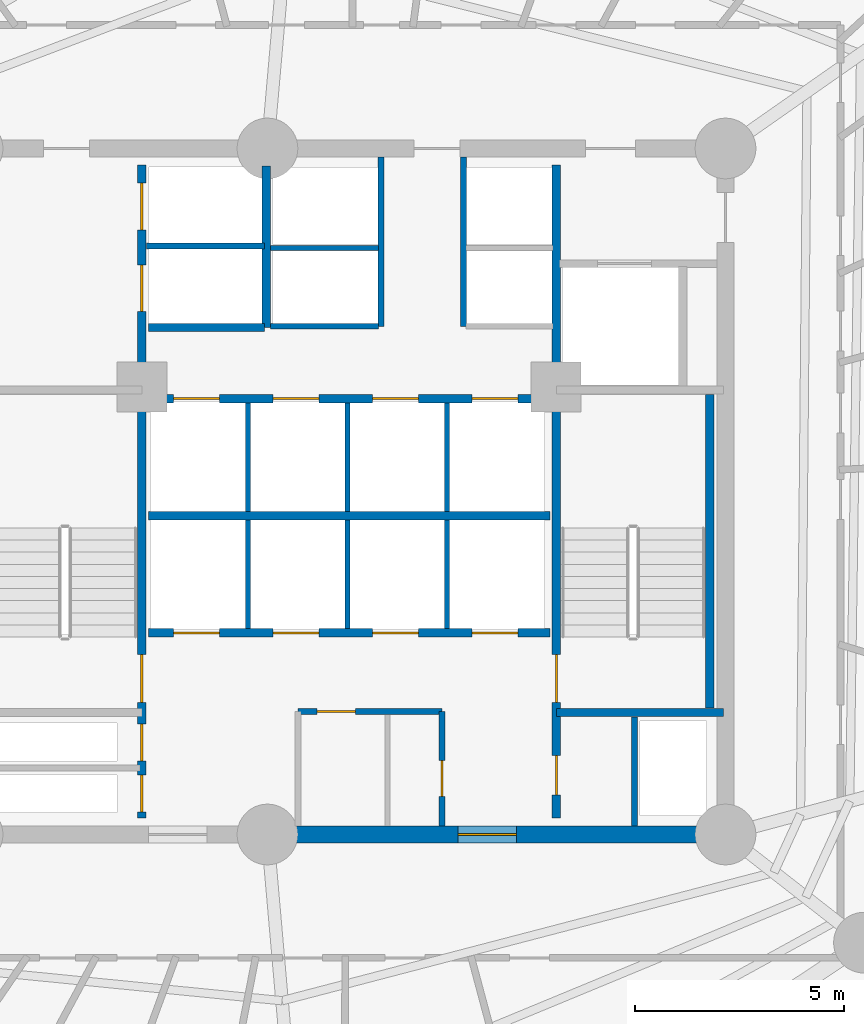
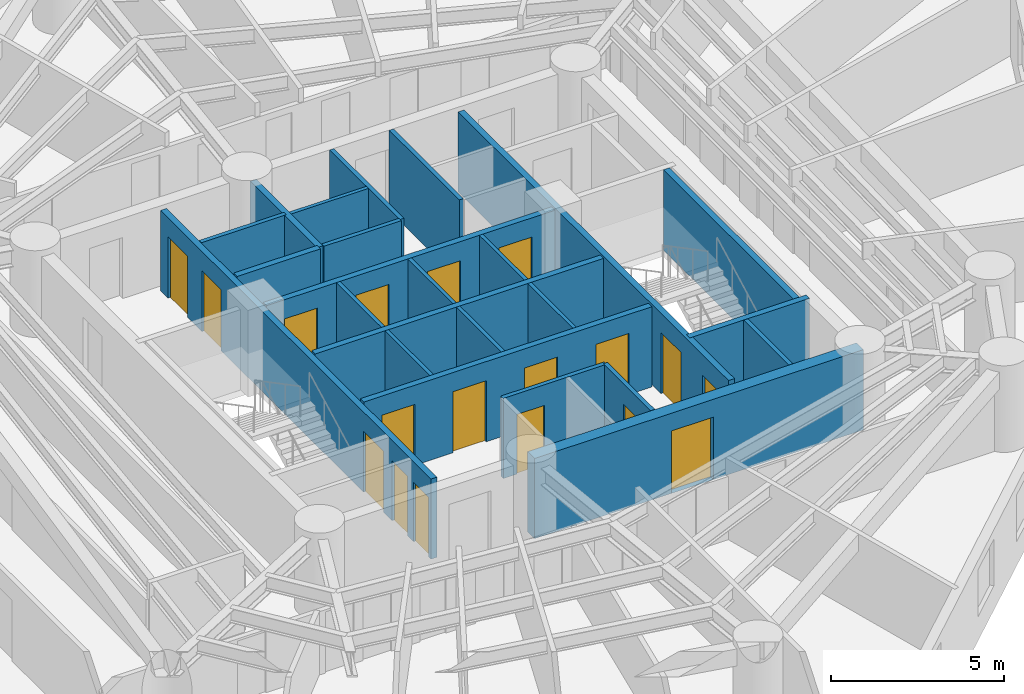
# One storey, part 4 of 8: 24 walls, 18 doors, 18 openings.
"""IFC4 building model written with IfcOpenShell, lengths in metres."""

from ifc_helpers import new_model, si_unit, direction, frame, frame_2d, origin, origin_with_axes, place, context, subcontext, project, spatial, rectangle, extrude, source, transform, mapped, material, layer, layer_set, type_object, element, fill, save


model = new_model("IFC4")

# Units and contexts
model_context = context("Model", 3, precision=1e-05, world=origin(), true_north=direction((0.0, 1.0)))
body_context = subcontext(model_context, "Body", "Model", "MODEL_VIEW")
ifc_project = project(units=[si_unit("LENGTHUNIT", "METRE"), si_unit("AREAUNIT", "SQUARE_METRE"), si_unit("VOLUMEUNIT", "CUBIC_METRE"), si_unit("PLANEANGLEUNIT", "RADIAN"), si_unit("MASSUNIT", "GRAM", prefix="KILO")], contexts=[model_context])

# Site, building, storey
site_placement = place(None, origin())
site = spatial("IfcSite", under=ifc_project, at=site_placement, CompositionType="ELEMENT")
building_placement = place(site_placement, origin())
building = spatial("IfcBuilding", under=site, at=building_placement, Name="Karkom Vertical University and Central Library", CompositionType="ELEMENT")
storey_placement = place(building_placement, frame((0.0, 0.0, 102.300048828125)))
storey = spatial("IfcBuildingStorey", under=building, at=storey_placement, Name="L27", CompositionType="ELEMENT", Elevation=102.300048828125)

# Walls
ifc_material_1 = material(Name="Moisture-resistant drywall 120mm", Category="gypsum")
ifc_layer_1 = layer(ifc_material_1, 0.1201171875)
ifc_layer_set_1 = layer_set([ifc_layer_1], Name="Moisture-resistant drywall 120mm")
wall_type_1 = type_object("IfcWallType", Name="INT-WL-INT-120H", PredefinedType="PARTITIONING", material=ifc_layer_set_1)
for number, where, z_axis, x_axis, name in (
    (1, (26.080078125, 23.219970703125, 0.0), (0.0, 0.0, 1.0), (0.0, 1.0, 0.0), "Level 27 Interior Partition Wall L27-CW-PL-DIV1"),
    (2, (28.4599609375, 23.219970703125, 0.0), (0.0, 0.0, 1.0), (0.0, 1.0, 0.0), "Level 27 Interior Partition Wall L27-CW-PL-DIV2"),
    (3, (30.840087890625, 23.219970703125, 0.0), (0.0, 0.0, 1.0), (0.0, 1.0, 0.0), "Level 27 Interior Partition Wall L27-CW-PL-DIV3"),
    (4, (26.080078125, 26.02001953125, 0.0), (0.0, 0.0, 1.0), (0.0, 1.0, 0.0), "Level 27 Interior Partition Wall L27-CW-PM-DIV1"),
    (5, (28.4599609375, 26.02001953125, 0.0), (0.0, 0.0, 1.0), (0.0, 1.0, 0.0), "Level 27 Interior Partition Wall L27-CW-PM-DIV2"),
    (6, (30.840087890625, 26.02001953125, 0.0), (0.0, 0.0, 1.0), (0.0, 1.0, 0.0), "Level 27 Interior Partition Wall L27-CW-PM-DIV3"),
):
    element("IfcWall", number, at=place(storey_placement, frame(where, z_axis=z_axis, x_axis=x_axis)), inside=storey, type_object=wall_type_1, Name=name, PredefinedType="PARTITIONING", context=body_context, shape_type="SweptSolid", body=[
        extrude(rectangle(XDim=2.60009765625, YDim=0.1201171875, at=frame_2d((1.300048828125, 0.0))), origin(), (0.0, 0.0, 1.0), 2.824951171875),
    ])
wall_1_placement = place(storey_placement, frame((26.6201171875, 32.320068359375, 0.0), z_axis=(0.0, 0.0, 1.0), x_axis=(1.0, 0.0, 0.0)))
element("IfcWall", 7, at=wall_1_placement, inside=storey, type_object=wall_type_1, Name="Level 27 Interior Partition Wall L27-CW-PH-MW", PredefinedType="PARTITIONING", context=body_context, shape_type="SweptSolid", body=[
    extrude(rectangle(XDim=2.579833984375, YDim=0.1201171875, at=frame_2d((1.2900390625, 0.0))), origin(), (0.0, 0.0, 1.0), 2.824951171875),
])

# Wall, opening, door
ifc_material_2 = material(Name="Metal-stud gypsum partition 140mm", Category="gypsum")
ifc_layer_2 = layer(ifc_material_2, 0.139892578125)
ifc_layer_set_2 = layer_set([ifc_layer_2], Name="Metal-stud gypsum partition 140mm")
wall_type_2 = type_object("IfcWallType", Name="INT-WL-SUB-140", PredefinedType="PARTITIONING", material=ifc_layer_set_2)
wall_2_placement = place(storey_placement, frame((27.280029296875, 21.239990234375, 0.0), z_axis=(0.0, 0.0, 1.0), x_axis=(1.0, 0.0, 0.0)))
wall_2 = element("IfcWall", 8, at=wall_2_placement, inside=storey, type_object=wall_type_2, Name="Level 27 Interior Partition Wall L27-CW-KBAY-N", PredefinedType="PARTITIONING", context=body_context, shape_type="SweptSolid", body=[
    extrude(rectangle(XDim=3.43994140625, YDim=0.139892578125, at=frame_2d((1.719970703125, 0.0))), origin(), (0.0, 0.0, 1.0), 2.824951171875),
])
opening_1_placement = place(wall_2_placement, frame((0.449951171875, 0.0, 0.0)))
opening_1 = element("IfcOpeningElement", 9, at=opening_1_placement, cuts=wall_2, Name="Opening D-SVC1", PredefinedType="OPENING", context=body_context, shape_type="SweptSolid", body=[
    extrude(rectangle(XDim=0.919921875, YDim=2.10009765625, at=frame_2d((0.4599609375, 1.050048828125))), frame((0.0, 0.080078125, 0.0), z_axis=(0.0, -1.0, 0.0), x_axis=(1.0, 0.0, 0.0)), (0.0, 0.0, 1.0), 0.159912109375),
])
ifc_material_3 = material(Name="Painted timber service door", Category="wood")
door_type_1 = type_object("IfcDoorType", Name="INT-DR-SVC1", OperationType="NOTDEFINED", PredefinedType="DOOR", material=ifc_material_3)
shared_shape_1 = source(origin_with_axes(), body_context, "Body", "SweptSolid", [
    extrude(rectangle(XDim=0.919921875, YDim=2.10009765625, at=frame_2d((0.4599609375, 1.050048828125))), frame((0.0, 0.02490234375, 0.0), z_axis=(0.0, -1.0, 0.0), x_axis=(1.0, 0.0, 0.0)), (0.0, 0.0, 1.0), 0.050048828125),
])
door_1_placement = place(opening_1_placement, origin())
door_1 = element("IfcDoor", 10, at=door_1_placement, inside=storey, type_object=door_type_1, Name="Level 27 Copy Room Door", OperationType="SINGLE_SWING_LEFT", OverallHeight=2.10009765625, OverallWidth=0.919921875, PredefinedType="DOOR", context=body_context, shape_type="MappedRepresentation", body=[
    mapped(shared_shape_1, transform((0.0, 0.0, 0.0), scale=1.0)),
])
fill(opening_1, door_1)

wall_3_placement = place(storey_placement, frame((30.719970703125, 18.507080078125, 0.0), z_axis=(0.0, 0.0, 1.0), x_axis=(0.0, 1.0, 0.0)))
wall_3 = element("IfcWall", 11, at=wall_3_placement, inside=storey, type_object=wall_type_2, Name="Level 27 Interior Partition Wall L27-CW-KBAY-E", PredefinedType="PARTITIONING", context=body_context, shape_type="SweptSolid", body=[
    extrude(rectangle(XDim=2.73291015625, YDim=0.139892578125, at=frame_2d((1.366455078125, 0.0))), origin(), (0.0, 0.0, 1.0), 2.824951171875),
])
opening_2_placement = place(wall_3_placement, frame((0.699951171875, 0.0, 0.0)))
opening_2 = element("IfcOpeningElement", 12, at=opening_2_placement, cuts=wall_3, Name="Opening D-BATH", PredefinedType="OPENING", context=body_context, shape_type="SweptSolid", body=[
    extrude(rectangle(XDim=0.860107421875, YDim=2.10009765625, at=frame_2d((0.43017578125, 1.050048828125))), frame((0.0, 0.080078125, 0.0), z_axis=(0.0, -1.0, 0.0), x_axis=(1.0, 0.0, 0.0)), (0.0, 0.0, 1.0), 0.159912109375),
])
ifc_material_4 = material(Name="Moisture-resistant oak door", Category="wood")
door_type_2 = type_object("IfcDoorType", Name="INT-DR-BATH", OperationType="NOTDEFINED", PredefinedType="DOOR", material=ifc_material_4)
shared_shape_2 = source(origin_with_axes(), body_context, "Body", "SweptSolid", [
    extrude(rectangle(XDim=0.860107421875, YDim=2.10009765625, at=frame_2d((0.43017578125, 1.050048828125))), frame((0.0, 0.02490234375, 0.0), z_axis=(0.0, -1.0, 0.0), x_axis=(1.0, 0.0, 0.0)), (0.0, 0.0, 1.0), 0.050048828125),
])
door_2_placement = place(opening_2_placement, origin())
door_2 = element("IfcDoor", 13, at=door_2_placement, inside=storey, type_object=door_type_2, Name="Level 27 Janitor Door", OperationType="SINGLE_SWING_RIGHT", OverallHeight=2.10009765625, OverallWidth=0.860107421875, PredefinedType="DOOR", context=body_context, shape_type="MappedRepresentation", body=[
    mapped(shared_shape_2, transform((0.0, 0.0, 0.0), scale=1.0)),
])
fill(opening_2, door_2)

# Walls
ifc_layer_3 = layer(ifc_material_2, 0.139892578125)
ifc_layer_set_3 = layer_set([ifc_layer_3], Name="Metal-stud gypsum partition 140mm")
wall_type_3 = type_object("IfcWallType", Name="INT-WL-SUB-140H", PredefinedType="PARTITIONING", material=ifc_layer_set_3)
for number, where, z_axis, x_axis, name in (
    (14, (29.260009765625, 30.449951171875, 0.0), (0.0, 0.0, 1.0), (0.0, 1.0, 0.0), "Level 27 Interior Partition Wall L27-CW-PH-W"),
    (15, (31.239990234375, 30.449951171875, 0.0), (0.0, 0.0, 1.0), (0.0, 1.0, 0.0), "Level 27 Interior Partition Wall L27-CW-PH-E"),
):
    element("IfcWall", number, at=place(storey_placement, frame(where, z_axis=z_axis, x_axis=x_axis)), inside=storey, type_object=wall_type_3, Name=name, PredefinedType="PARTITIONING", context=body_context, shape_type="SweptSolid", body=[
        extrude(rectangle(XDim=4.04296875, YDim=0.139892578125, at=frame_2d((2.021484375, 0.0))), origin(), (0.0, 0.0, 1.0), 2.824951171875),
    ])
wall_4_placement = place(storey_placement, frame((26.6201171875, 30.449951171875, 0.0), z_axis=(0.0, 0.0, 1.0), x_axis=(1.0, 0.0, 0.0)))
element("IfcWall", 16, at=wall_4_placement, inside=storey, type_object=wall_type_3, Name="Level 27 Interior Partition Wall L27-CW-PH-S1", PredefinedType="PARTITIONING", context=body_context, shape_type="SweptSolid", body=[
    extrude(rectangle(XDim=2.579833984375, YDim=0.139892578125, at=frame_2d((1.2900390625, 0.0))), origin(), (0.0, 0.0, 1.0), 2.824951171875),
])
wall_5_placement = place(storey_placement, frame((35.320068359375, 18.507080078125, 0.0), z_axis=(0.0, 0.0, 1.0), x_axis=(0.0, 1.0, 0.0)))
element("IfcWall", 17, at=wall_5_placement, inside=storey, type_object=wall_type_3, Name="Level 27 Interior Partition Wall L27-CW-RIS-E", PredefinedType="PARTITIONING", context=body_context, shape_type="SweptSolid", body=[
    extrude(rectangle(XDim=2.603759765625, YDim=0.139892578125, at=frame_2d((1.3017578125, 0.0))), origin(), (0.0, 0.0, 1.0), 2.824951171875),
])
ifc_layer_4 = layer(ifc_material_2, 0.139892578125)
ifc_layer_set_4 = layer_set([ifc_layer_4], Name="Metal-stud gypsum partition 140mm")
wall_type_4 = type_object("IfcWallType", Name="INT-WL-SUB-140X", PredefinedType="PARTITIONING", material=ifc_layer_set_4)
wall_6_placement = place(storey_placement, frame((23.652099609375, 32.3701171875, 0.0), z_axis=(0.0, 0.0, 1.0), x_axis=(1.0, 0.0, 0.0)))
element("IfcWall", 18, at=wall_6_placement, inside=storey, type_object=wall_type_4, Name="Level 27 Interior Partition Wall L27-CW-FFL-M", PredefinedType="PARTITIONING", context=body_context, shape_type="SweptSolid", body=[
    extrude(rectangle(XDim=2.827880859375, YDim=0.139892578125, at=frame_2d((1.4140625, 0.0))), origin(), (0.0, 0.0, 1.0), 2.824951171875),
])

# Wall, opening, door
ifc_material_5 = material(Name="Concrete C50/60", Category="concrete")
ifc_layer_5 = layer(ifc_material_5, 0.39990234375)
ifc_layer_set_5 = layer_set([ifc_layer_5], Name="Concrete C50/60")
wall_type_5 = type_object("IfcWallType", Name="STR-WL-CW-400", PredefinedType="SHEAR", material=ifc_layer_set_5)
wall_7_placement = place(storey_placement, frame((26.550048828125, 18.300048828125, 0.0), z_axis=(0.0, 0.0, 1.0), x_axis=(1.0, 0.0, 0.0)))
wall_7 = element("IfcWall", 19, at=wall_7_placement, inside=storey, type_object=wall_type_5, Name="Level 27 Central Core Shear Wall SW2", PredefinedType="SHEAR", context=body_context, shape_type="SweptSolid", body=[
    extrude(rectangle(XDim=10.949951171875, YDim=0.39990234375, at=frame_2d((5.47509765625, 0.0))), origin(), (0.0, 0.0, 1.0), 2.824951171875),
])
opening_3_placement = place(wall_7_placement, frame((4.550048828125, 0.0, 0.0)))
opening_3 = element("IfcOpeningElement", 20, at=opening_3_placement, cuts=wall_7, Name="Opening FD-CLB", PredefinedType="OPENING", context=body_context, shape_type="SweptSolid", body=[
    extrude(rectangle(XDim=1.39990234375, YDim=2.199951171875, at=frame_2d((0.699951171875, 1.10009765625))), frame((0.0, 0.2099609375, 0.0), z_axis=(0.0, -1.0, 0.0), x_axis=(1.0, 0.0, 0.0)), (0.0, 0.0, 1.0), 0.419921875),
])
ifc_material_6 = material(Name="Painted steel fire door", Category="steel")
door_type_3 = type_object("IfcDoorType", Name="INT-DR-CLB", OperationType="DOUBLE_DOOR_SINGLE_SWING", PredefinedType="DOOR", material=ifc_material_6)
shared_shape_3 = source(origin_with_axes(), body_context, "Body", "SweptSolid", [
    extrude(rectangle(XDim=1.39990234375, YDim=2.199951171875, at=frame_2d((0.699951171875, 1.10009765625))), frame((0.0, 0.02490234375, 0.0), z_axis=(0.0, -1.0, 0.0), x_axis=(1.0, 0.0, 0.0)), (0.0, 0.0, 1.0), 0.050048828125),
])
door_3_placement = place(opening_3_placement, origin())
door_3 = element("IfcDoor", 21, at=door_3_placement, inside=storey, type_object=door_type_3, Name="Level 27 South Core Lobby East Exit Door", OperationType="DOUBLE_DOOR_SINGLE_SWING", OverallHeight=2.199951171875, OverallWidth=1.39990234375, PredefinedType="DOOR", context=body_context, shape_type="MappedRepresentation", body=[
    mapped(shared_shape_3, transform((0.0, 0.0, 0.0), scale=1.0)),
])
fill(opening_3, door_3)

# Wall, openings, doors
ifc_material_7 = material(Name="Concrete C45/55", Category="concrete")
ifc_layer_6 = layer(ifc_material_7, 0.199951171875)
ifc_layer_set_6 = layer_set([ifc_layer_6], Name="Concrete C45/55")
wall_type_6 = type_object("IfcWallType", Name="STR-WL-ST-200", PredefinedType="SHEAR", material=ifc_layer_set_6)
wall_8_placement = place(storey_placement, frame((23.544921875, 18.699951171875, 0.0), z_axis=(0.0, 0.0, 1.0), x_axis=(0.0, 1.0, 0.0)))
wall_8 = element("IfcWall", 22, at=wall_8_placement, inside=storey, type_object=wall_type_6, Name="Level 27 Core Shaft Wall L27-CW-ST1-E", PredefinedType="SHEAR", context=body_context, shape_type="SweptSolid", body=[
    extrude(rectangle(XDim=15.60009765625, YDim=0.199951171875, at=frame_2d((7.800048828125, 0.0))), origin(), (0.0, 0.0, 1.0), 2.824951171875),
])
opening_4_placement = place(wall_8_placement, frame((2.75, 0.0, 0.0)))
opening_4 = element("IfcOpeningElement", 23, at=opening_4_placement, cuts=wall_8, Name="Opening FD-ST1", PredefinedType="OPENING", context=body_context, shape_type="SweptSolid", body=[
    extrude(rectangle(XDim=1.14990234375, YDim=2.14990234375, at=frame_2d((0.574951171875, 1.074951171875))), frame((0.0, 0.10986328125, 0.0), z_axis=(0.0, -1.0, 0.0), x_axis=(1.0, 0.0, 0.0)), (0.0, 0.0, 1.0), 0.219970703125),
])
opening_5_placement = place(wall_8_placement, frame((0.139892578125, 0.0, 0.0)))
opening_5 = element("IfcOpeningElement", 24, at=opening_5_placement, cuts=wall_8, Name="Opening FD-RIS", PredefinedType="OPENING", context=body_context, shape_type="SweptSolid", body=[
    extrude(rectangle(XDim=0.8798828125, YDim=2.10009765625, at=frame_2d((0.43994140625, 1.050048828125))), frame((0.0, 0.10986328125, 0.0), z_axis=(0.0, -1.0, 0.0), x_axis=(1.0, 0.0, 0.0)), (0.0, 0.0, 1.0), 0.219970703125),
])
opening_6_placement = place(wall_8_placement, frame((1.360107421875, 0.0, 0.0)))
opening_6 = element("IfcOpeningElement", 25, at=opening_6_placement, cuts=wall_8, Name="Opening FD-RIS", PredefinedType="OPENING", context=body_context, shape_type="SweptSolid", body=[
    extrude(rectangle(XDim=0.8798828125, YDim=2.10009765625, at=frame_2d((0.43994140625, 1.050048828125))), frame((0.0, 0.10986328125, 0.0), z_axis=(0.0, -1.0, 0.0), x_axis=(1.0, 0.0, 0.0)), (0.0, 0.0, 1.0), 0.219970703125),
])
opening_7_placement = place(wall_8_placement, frame((12.10009765625, 0.0, 0.0)))
opening_7 = element("IfcOpeningElement", 26, at=opening_7_placement, cuts=wall_8, Name="Opening LD-FFL", PredefinedType="OPENING", context=body_context, shape_type="SweptSolid", body=[
    extrude(rectangle(XDim=1.1201171875, YDim=2.14990234375, at=frame_2d((0.56005859375, 1.074951171875))), frame((0.0, 0.10986328125, 0.0), z_axis=(0.0, -1.0, 0.0), x_axis=(1.0, 0.0, 0.0)), (0.0, 0.0, 1.0), 0.219970703125),
])
opening_8_placement = place(wall_8_placement, frame((14.050048828125, 0.0, 0.0)))
opening_8 = element("IfcOpeningElement", 27, at=opening_8_placement, cuts=wall_8, Name="Opening LD-FFL", PredefinedType="OPENING", context=body_context, shape_type="SweptSolid", body=[
    extrude(rectangle(XDim=1.1201171875, YDim=2.14990234375, at=frame_2d((0.56005859375, 1.074951171875))), frame((0.0, 0.10986328125, 0.0), z_axis=(0.0, -1.0, 0.0), x_axis=(1.0, 0.0, 0.0)), (0.0, 0.0, 1.0), 0.219970703125),
])
ifc_material_8 = material(Name="Painted steel acoustic fire door", Category="steel")
door_type_4 = type_object("IfcDoorType", Name="INT-DR-ST1", OperationType="NOTDEFINED", PredefinedType="DOOR", material=ifc_material_8)
shared_shape_4 = source(origin_with_axes(), body_context, "Body", "SweptSolid", [
    extrude(rectangle(XDim=1.14990234375, YDim=2.14990234375, at=frame_2d((0.574951171875, 1.074951171875))), frame((0.0, 0.02490234375, 0.0), z_axis=(0.0, -1.0, 0.0), x_axis=(1.0, 0.0, 0.0)), (0.0, 0.0, 1.0), 0.050048828125),
])
door_4_placement = place(opening_4_placement, origin())
door_4 = element("IfcDoor", 28, at=door_4_placement, inside=storey, type_object=door_type_4, Name="Level 27 Stair ST-1 Fire Door", OperationType="SINGLE_SWING_RIGHT", OverallHeight=2.14990234375, OverallWidth=1.14990234375, PredefinedType="DOOR", context=body_context, shape_type="MappedRepresentation", body=[
    mapped(shared_shape_4, transform((0.0, 0.0, 0.0), scale=1.0)),
])
fill(opening_4, door_4)
ifc_material_9 = material(Name="Painted steel riser access door", Category="steel")
door_type_5 = type_object("IfcDoorType", Name="INT-DR-RIS", OperationType="NOTDEFINED", PredefinedType="DOOR", material=ifc_material_9)
shared_shape_5 = source(origin_with_axes(), body_context, "Body", "SweptSolid", [
    extrude(rectangle(XDim=0.8798828125, YDim=2.10009765625, at=frame_2d((0.43994140625, 1.050048828125))), frame((0.0, 0.02490234375, 0.0), z_axis=(0.0, -1.0, 0.0), x_axis=(1.0, 0.0, 0.0)), (0.0, 0.0, 1.0), 0.050048828125),
])
door_5_placement = place(opening_5_placement, origin())
door_5 = element("IfcDoor", 29, at=door_5_placement, inside=storey, type_object=door_type_5, Name="Level 27 Electrical Riser Access Door", OperationType="SINGLE_SWING_RIGHT", OverallHeight=2.10009765625, OverallWidth=0.8798828125, PredefinedType="DOOR", context=body_context, shape_type="MappedRepresentation", body=[
    mapped(shared_shape_5, transform((0.0, 0.0, 0.0), scale=1.0)),
])
fill(opening_5, door_5)
door_6_placement = place(opening_6_placement, origin())
door_6 = element("IfcDoor", 30, at=door_6_placement, inside=storey, type_object=door_type_5, Name="Level 27 Telecom Riser Access Door", OperationType="SINGLE_SWING_LEFT", OverallHeight=2.10009765625, OverallWidth=0.8798828125, PredefinedType="DOOR", context=body_context, shape_type="MappedRepresentation", body=[
    mapped(shared_shape_5, transform((0.0, 0.0, 0.0), scale=1.0)),
])
fill(opening_6, door_6)
ifc_material_10 = material(Name="Fire-rated stainless-steel landing door", Category="steel")
door_type_6 = type_object("IfcDoorType", Name="INT-DR-LD-FFL", OperationType="SLIDING_TO_LEFT", PredefinedType="DOOR", material=ifc_material_10)
shared_shape_6 = source(origin_with_axes(), body_context, "Body", "SweptSolid", [
    extrude(rectangle(XDim=1.1201171875, YDim=2.14990234375, at=frame_2d((0.56005859375, 1.074951171875))), frame((0.0, 0.02490234375, 0.0), z_axis=(0.0, -1.0, 0.0), x_axis=(1.0, 0.0, 0.0)), (0.0, 0.0, 1.0), 0.050048828125),
])
door_7_placement = place(opening_7_placement, origin())
door_7 = element("IfcDoor", 31, at=door_7_placement, inside=storey, type_object=door_type_6, Name="Level 27 Firefighting Lift FFL-1 Landing Door", OperationType="SLIDING_TO_LEFT", OverallHeight=2.14990234375, OverallWidth=1.1201171875, PredefinedType="DOOR", context=body_context, shape_type="MappedRepresentation", body=[
    mapped(shared_shape_6, transform((0.0, 0.0, 0.0), scale=1.0)),
])
fill(opening_7, door_7)
door_8_placement = place(opening_8_placement, origin())
door_8 = element("IfcDoor", 32, at=door_8_placement, inside=storey, type_object=door_type_6, Name="Level 27 Firefighting Lift FFL-2 Landing Door", OperationType="SLIDING_TO_RIGHT", OverallHeight=2.14990234375, OverallWidth=1.1201171875, PredefinedType="DOOR", context=body_context, shape_type="MappedRepresentation", body=[
    mapped(shared_shape_6, transform((0.0, 0.0, 0.0), scale=1.0)),
])
fill(opening_8, door_8)

wall_9_placement = place(storey_placement, frame((33.455078125, 18.699951171875, 0.0), z_axis=(0.0, 0.0, 1.0), x_axis=(0.0, 1.0, 0.0)))
wall_9 = element("IfcWall", 33, at=wall_9_placement, inside=storey, type_object=wall_type_6, Name="Level 27 Core Shaft Wall L27-CW-ST2-W", PredefinedType="SHEAR", context=body_context, shape_type="SweptSolid", body=[
    extrude(rectangle(XDim=15.60009765625, YDim=0.199951171875, at=frame_2d((7.800048828125, 0.0))), origin(), (0.0, 0.0, 1.0), 2.824951171875),
])
opening_9_placement = place(wall_9_placement, frame((2.75, 0.0, 0.0)))
opening_9 = element("IfcOpeningElement", 34, at=opening_9_placement, cuts=wall_9, Name="Opening FD-ST1", PredefinedType="OPENING", context=body_context, shape_type="SweptSolid", body=[
    extrude(rectangle(XDim=1.14990234375, YDim=2.14990234375, at=frame_2d((0.574951171875, 1.074951171875))), frame((0.0, 0.10986328125, 0.0), z_axis=(0.0, -1.0, 0.0), x_axis=(1.0, 0.0, 0.0)), (0.0, 0.0, 1.0), 0.219970703125),
])
opening_10_placement = place(wall_9_placement, frame((0.550048828125, 0.0, 0.0)))
opening_10 = element("IfcOpeningElement", 35, at=opening_10_placement, cuts=wall_9, Name="Opening D-WC1", PredefinedType="OPENING", context=body_context, shape_type="SweptSolid", body=[
    extrude(rectangle(XDim=0.93994140625, YDim=2.10009765625, at=frame_2d((0.469970703125, 1.050048828125))), frame((0.0, 0.10986328125, 0.0), z_axis=(0.0, -1.0, 0.0), x_axis=(1.0, 0.0, 0.0)), (0.0, 0.0, 1.0), 0.219970703125),
])
door_9_placement = place(opening_9_placement, origin())
door_9 = element("IfcDoor", 36, at=door_9_placement, inside=storey, type_object=door_type_4, Name="Level 27 Stair ST-2 Fire Door", OperationType="SINGLE_SWING_LEFT", OverallHeight=2.14990234375, OverallWidth=1.14990234375, PredefinedType="DOOR", context=body_context, shape_type="MappedRepresentation", body=[
    mapped(shared_shape_4, transform((0.0, 0.0, 0.0), scale=1.0)),
])
fill(opening_9, door_9)
ifc_material_11 = material(Name="Fire-rated laminate moisture-resistant door", Category="wood")
door_type_7 = type_object("IfcDoorType", Name="INT-DR-WC1", OperationType="NOTDEFINED", PredefinedType="DOOR", material=ifc_material_11)
shared_shape_7 = source(origin_with_axes(), body_context, "Body", "SweptSolid", [
    extrude(rectangle(XDim=0.93994140625, YDim=2.10009765625, at=frame_2d((0.469970703125, 1.050048828125))), frame((0.0, 0.02490234375, 0.0), z_axis=(0.0, -1.0, 0.0), x_axis=(1.0, 0.0, 0.0)), (0.0, 0.0, 1.0), 0.050048828125),
])
door_10_placement = place(opening_10_placement, origin())
door_10 = element("IfcDoor", 37, at=door_10_placement, inside=storey, type_object=door_type_7, Name="Level 27 Accessible WC Door", OperationType="SINGLE_SWING_RIGHT", OverallHeight=2.10009765625, OverallWidth=0.93994140625, PredefinedType="DOOR", context=body_context, shape_type="MappedRepresentation", body=[
    mapped(shared_shape_7, transform((0.0, 0.0, 0.0), scale=1.0)),
])
fill(opening_10, door_10)

wall_10_placement = place(storey_placement, frame((23.699951171875, 23.1201171875, 0.0), z_axis=(0.0, 0.0, 1.0), x_axis=(1.0, 0.0, 0.0)))
wall_10 = element("IfcWall", 38, at=wall_10_placement, inside=storey, type_object=wall_type_6, Name="Level 27 Core Shaft Wall L27-CW-B1-S", PredefinedType="SHEAR", context=body_context, shape_type="SweptSolid", body=[
    extrude(rectangle(XDim=9.60009765625, YDim=0.199951171875, at=frame_2d((4.800048828125, 0.0))), origin(), (0.0, 0.0, 1.0), 2.824951171875),
])
opening_11_placement = place(wall_10_placement, frame((0.60009765625, 0.0, 0.0)))
opening_11 = element("IfcOpeningElement", 39, at=opening_11_placement, cuts=wall_10, Name="Opening LD-PAX", PredefinedType="OPENING", context=body_context, shape_type="SweptSolid", body=[
    extrude(rectangle(XDim=1.10009765625, YDim=2.14990234375, at=frame_2d((0.550048828125, 1.074951171875))), frame((0.0, 0.10986328125, 0.0), z_axis=(0.0, -1.0, 0.0), x_axis=(1.0, 0.0, 0.0)), (0.0, 0.0, 1.0), 0.219970703125),
])
opening_12_placement = place(wall_10_placement, frame((2.97998046875, 0.0, 0.0)))
opening_12 = element("IfcOpeningElement", 40, at=opening_12_placement, cuts=wall_10, Name="Opening LD-PAX", PredefinedType="OPENING", context=body_context, shape_type="SweptSolid", body=[
    extrude(rectangle(XDim=1.10009765625, YDim=2.14990234375, at=frame_2d((0.550048828125, 1.074951171875))), frame((0.0, 0.10986328125, 0.0), z_axis=(0.0, -1.0, 0.0), x_axis=(1.0, 0.0, 0.0)), (0.0, 0.0, 1.0), 0.219970703125),
])
opening_13_placement = place(wall_10_placement, frame((5.360107421875, 0.0, 0.0)))
opening_13 = element("IfcOpeningElement", 41, at=opening_13_placement, cuts=wall_10, Name="Opening LD-PAX", PredefinedType="OPENING", context=body_context, shape_type="SweptSolid", body=[
    extrude(rectangle(XDim=1.10009765625, YDim=2.14990234375, at=frame_2d((0.550048828125, 1.074951171875))), frame((0.0, 0.10986328125, 0.0), z_axis=(0.0, -1.0, 0.0), x_axis=(1.0, 0.0, 0.0)), (0.0, 0.0, 1.0), 0.219970703125),
])
opening_14_placement = place(wall_10_placement, frame((7.739990234375, 0.0, 0.0)))
opening_14 = element("IfcOpeningElement", 42, at=opening_14_placement, cuts=wall_10, Name="Opening LD-PAX", PredefinedType="OPENING", context=body_context, shape_type="SweptSolid", body=[
    extrude(rectangle(XDim=1.10009765625, YDim=2.14990234375, at=frame_2d((0.550048828125, 1.074951171875))), frame((0.0, 0.10986328125, 0.0), z_axis=(0.0, -1.0, 0.0), x_axis=(1.0, 0.0, 0.0)), (0.0, 0.0, 1.0), 0.219970703125),
])
ifc_material_12 = material(Name="Brushed stainless-steel landing door", Category="steel")
door_type_8 = type_object("IfcDoorType", Name="INT-DR-LD-PAX", OperationType="SLIDING_TO_LEFT", PredefinedType="DOOR", material=ifc_material_12)
shared_shape_8 = source(origin_with_axes(), body_context, "Body", "SweptSolid", [
    extrude(rectangle(XDim=1.10009765625, YDim=2.14990234375, at=frame_2d((0.550048828125, 1.074951171875))), frame((0.0, 0.02490234375, 0.0), z_axis=(0.0, -1.0, 0.0), x_axis=(1.0, 0.0, 0.0)), (0.0, 0.0, 1.0), 0.050048828125),
])
door_11_placement = place(opening_11_placement, origin())
door_11 = element("IfcDoor", 43, at=door_11_placement, inside=storey, type_object=door_type_8, Name="Level 27 Lift PL-1 Landing Door", OperationType="SLIDING_TO_LEFT", OverallHeight=2.14990234375, OverallWidth=1.10009765625, PredefinedType="DOOR", context=body_context, shape_type="MappedRepresentation", body=[
    mapped(shared_shape_8, transform((0.0, 0.0, 0.0), scale=1.0)),
])
fill(opening_11, door_11)
door_12_placement = place(opening_12_placement, origin())
door_12 = element("IfcDoor", 44, at=door_12_placement, inside=storey, type_object=door_type_8, Name="Level 27 Lift PL-2 Landing Door", OperationType="SLIDING_TO_RIGHT", OverallHeight=2.14990234375, OverallWidth=1.10009765625, PredefinedType="DOOR", context=body_context, shape_type="MappedRepresentation", body=[
    mapped(shared_shape_8, transform((0.0, 0.0, 0.0), scale=1.0)),
])
fill(opening_12, door_12)
door_13_placement = place(opening_13_placement, origin())
door_13 = element("IfcDoor", 45, at=door_13_placement, inside=storey, type_object=door_type_8, Name="Level 27 Lift PL-3 Landing Door", OperationType="SLIDING_TO_LEFT", OverallHeight=2.14990234375, OverallWidth=1.10009765625, PredefinedType="DOOR", context=body_context, shape_type="MappedRepresentation", body=[
    mapped(shared_shape_8, transform((0.0, 0.0, 0.0), scale=1.0)),
])
fill(opening_13, door_13)
door_14_placement = place(opening_14_placement, origin())
door_14 = element("IfcDoor", 46, at=door_14_placement, inside=storey, type_object=door_type_8, Name="Level 27 Lift PL-4 Landing Door", OperationType="SLIDING_TO_RIGHT", OverallHeight=2.14990234375, OverallWidth=1.10009765625, PredefinedType="DOOR", context=body_context, shape_type="MappedRepresentation", body=[
    mapped(shared_shape_8, transform((0.0, 0.0, 0.0), scale=1.0)),
])
fill(opening_14, door_14)

# Wall
wall_11_placement = place(storey_placement, frame((23.699951171875, 25.919921875, 0.0), z_axis=(0.0, 0.0, 1.0), x_axis=(1.0, 0.0, 0.0)))
element("IfcWall", 47, at=wall_11_placement, inside=storey, type_object=wall_type_6, Name="Level 27 Core Shaft Wall L27-CW-B1-N", PredefinedType="SHEAR", context=body_context, shape_type="SweptSolid", body=[
    extrude(rectangle(XDim=9.60009765625, YDim=0.199951171875, at=frame_2d((4.800048828125, 0.0))), origin(), (0.0, 0.0, 1.0), 2.824951171875),
])

# Wall, openings, doors
wall_12_placement = place(storey_placement, frame((23.699951171875, 28.719970703125, 0.0), z_axis=(0.0, 0.0, 1.0), x_axis=(1.0, 0.0, 0.0)))
wall_12 = element("IfcWall", 48, at=wall_12_placement, inside=storey, type_object=wall_type_6, Name="Level 27 Core Shaft Wall L27-CW-B2-N", PredefinedType="SHEAR", context=body_context, shape_type="SweptSolid", body=[
    extrude(rectangle(XDim=9.60009765625, YDim=0.199951171875, at=frame_2d((4.800048828125, 0.0))), origin(), (0.0, 0.0, 1.0), 2.824951171875),
])
opening_15_placement = place(wall_12_placement, frame((0.60009765625, 0.0, 0.0)))
opening_15 = element("IfcOpeningElement", 49, at=opening_15_placement, cuts=wall_12, Name="Opening LD-PAX", PredefinedType="OPENING", context=body_context, shape_type="SweptSolid", body=[
    extrude(rectangle(XDim=1.10009765625, YDim=2.14990234375, at=frame_2d((0.550048828125, 1.074951171875))), frame((0.0, 0.10986328125, 0.0), z_axis=(0.0, -1.0, 0.0), x_axis=(1.0, 0.0, 0.0)), (0.0, 0.0, 1.0), 0.219970703125),
])
opening_16_placement = place(wall_12_placement, frame((2.97998046875, 0.0, 0.0)))
opening_16 = element("IfcOpeningElement", 50, at=opening_16_placement, cuts=wall_12, Name="Opening LD-PAX", PredefinedType="OPENING", context=body_context, shape_type="SweptSolid", body=[
    extrude(rectangle(XDim=1.10009765625, YDim=2.14990234375, at=frame_2d((0.550048828125, 1.074951171875))), frame((0.0, 0.10986328125, 0.0), z_axis=(0.0, -1.0, 0.0), x_axis=(1.0, 0.0, 0.0)), (0.0, 0.0, 1.0), 0.219970703125),
])
opening_17_placement = place(wall_12_placement, frame((5.360107421875, 0.0, 0.0)))
opening_17 = element("IfcOpeningElement", 51, at=opening_17_placement, cuts=wall_12, Name="Opening LD-PAX", PredefinedType="OPENING", context=body_context, shape_type="SweptSolid", body=[
    extrude(rectangle(XDim=1.10009765625, YDim=2.14990234375, at=frame_2d((0.550048828125, 1.074951171875))), frame((0.0, 0.10986328125, 0.0), z_axis=(0.0, -1.0, 0.0), x_axis=(1.0, 0.0, 0.0)), (0.0, 0.0, 1.0), 0.219970703125),
])
opening_18_placement = place(wall_12_placement, frame((7.739990234375, 0.0, 0.0)))
opening_18 = element("IfcOpeningElement", 52, at=opening_18_placement, cuts=wall_12, Name="Opening LD-PAX", PredefinedType="OPENING", context=body_context, shape_type="SweptSolid", body=[
    extrude(rectangle(XDim=1.10009765625, YDim=2.14990234375, at=frame_2d((0.550048828125, 1.074951171875))), frame((0.0, 0.10986328125, 0.0), z_axis=(0.0, -1.0, 0.0), x_axis=(1.0, 0.0, 0.0)), (0.0, 0.0, 1.0), 0.219970703125),
])
door_15_placement = place(opening_15_placement, origin())
door_15 = element("IfcDoor", 53, at=door_15_placement, inside=storey, type_object=door_type_8, Name="Level 27 Lift PM-1 Landing Door", OperationType="SLIDING_TO_LEFT", OverallHeight=2.14990234375, OverallWidth=1.10009765625, PredefinedType="DOOR", context=body_context, shape_type="MappedRepresentation", body=[
    mapped(shared_shape_8, transform((0.0, 0.0, 0.0), scale=1.0)),
])
fill(opening_15, door_15)
door_16_placement = place(opening_16_placement, origin())
door_16 = element("IfcDoor", 54, at=door_16_placement, inside=storey, type_object=door_type_8, Name="Level 27 Lift PM-2 Landing Door", OperationType="SLIDING_TO_RIGHT", OverallHeight=2.14990234375, OverallWidth=1.10009765625, PredefinedType="DOOR", context=body_context, shape_type="MappedRepresentation", body=[
    mapped(shared_shape_8, transform((0.0, 0.0, 0.0), scale=1.0)),
])
fill(opening_16, door_16)
door_17_placement = place(opening_17_placement, origin())
door_17 = element("IfcDoor", 55, at=door_17_placement, inside=storey, type_object=door_type_8, Name="Level 27 Lift PM-3 Landing Door", OperationType="SLIDING_TO_LEFT", OverallHeight=2.14990234375, OverallWidth=1.10009765625, PredefinedType="DOOR", context=body_context, shape_type="MappedRepresentation", body=[
    mapped(shared_shape_8, transform((0.0, 0.0, 0.0), scale=1.0)),
])
fill(opening_17, door_17)
door_18_placement = place(opening_18_placement, origin())
door_18 = element("IfcDoor", 56, at=door_18_placement, inside=storey, type_object=door_type_8, Name="Level 27 Lift PM-4 Landing Door", OperationType="SLIDING_TO_RIGHT", OverallHeight=2.14990234375, OverallWidth=1.10009765625, PredefinedType="DOOR", context=body_context, shape_type="MappedRepresentation", body=[
    mapped(shared_shape_8, transform((0.0, 0.0, 0.0), scale=1.0)),
])
fill(opening_18, door_18)

# Walls
wall_13_placement = place(storey_placement, frame((37.125, 21.320068359375, 0.0), z_axis=(0.0, 0.0, 1.0), x_axis=(0.0, 1.0, 0.0)))
element("IfcWall", 57, at=wall_13_placement, inside=storey, type_object=wall_type_6, Name="Level 27 Core Shaft Wall L27-CW-ST2-E", PredefinedType="SHEAR", context=body_context, shape_type="SweptSolid", body=[
    extrude(rectangle(XDim=7.5, YDim=0.199951171875, at=frame_2d((3.75, 0.0))), origin(), (0.0, 0.0, 1.0), 2.824951171875),
])
wall_14_placement = place(storey_placement, frame((33.455078125, 21.215087890625, 0.0), z_axis=(0.0, 0.0, 1.0), x_axis=(1.0, 0.0, 0.0)))
element("IfcWall", 58, at=wall_14_placement, inside=storey, type_object=wall_type_6, Name="Level 27 Core Shaft Wall L27-CW-ST2-S", PredefinedType="SHEAR", context=body_context, shape_type="SweptSolid", body=[
    extrude(rectangle(XDim=3.994873046875, YDim=0.199951171875, at=frame_2d((1.99755859375, 0.0))), origin(), (0.0, 0.0, 1.0), 2.824951171875),
])
wall_15_placement = place(storey_placement, frame((26.52001953125, 30.419921875, 0.0), z_axis=(0.0, 0.0, 1.0), x_axis=(0.0, 1.0, 0.0)))
element("IfcWall", 59, at=wall_15_placement, inside=storey, type_object=wall_type_6, Name="Level 27 Core Shaft Wall L27-CW-FFL-E", PredefinedType="SHEAR", context=body_context, shape_type="SweptSolid", body=[
    extrude(rectangle(XDim=3.860107421875, YDim=0.199951171875, at=frame_2d((1.93017578125, 0.0))), origin(), (0.0, 0.0, 1.0), 2.824951171875),
])
wall_16_placement = place(storey_placement, frame((23.699951171875, 30.419921875, 0.0), z_axis=(0.0, 0.0, 1.0), x_axis=(1.0, 0.0, 0.0)))
element("IfcWall", 60, at=wall_16_placement, inside=storey, type_object=wall_type_6, Name="Level 27 Core Shaft Wall L27-CW-FFL-S", PredefinedType="SHEAR", context=body_context, shape_type="SweptSolid", body=[
    extrude(rectangle(XDim=2.780029296875, YDim=0.199951171875, at=frame_2d((1.39013671875, 0.0))), origin(), (0.0, 0.0, 1.0), 2.824951171875),
])

save(model, "model.ifc")
